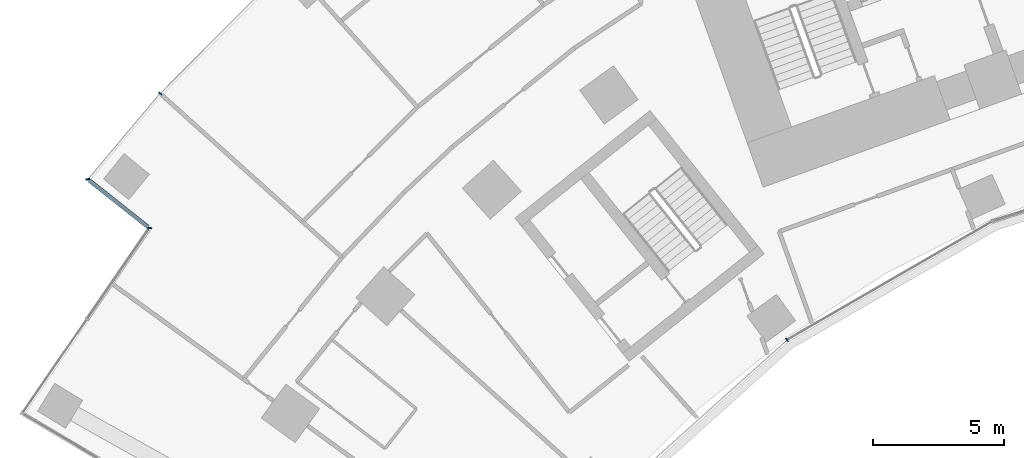
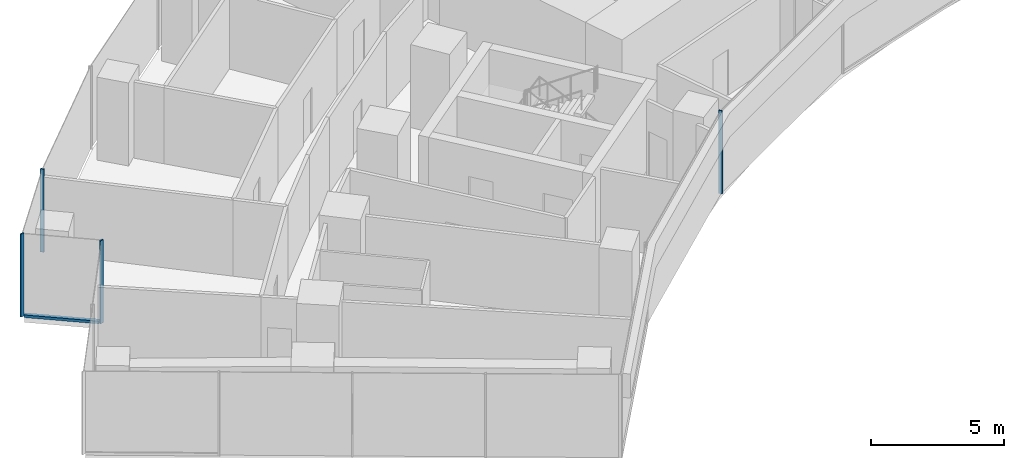
# One storey, part 3 of 21: 5 members, 4 elements without a shape of their own.
"""IFC4 building model written with IfcOpenShell, lengths in metres."""

from ifc_helpers import new_model, si_unit, direction, frame, origin, origin_2d, place, context, subcontext, project, spatial, rectangle, extrude, material, layer, layer_set, material_profile, profile_set, type_object, element, aggregate, save


model = new_model("IFC4")

# Units and contexts
model_context = context("Model", 3, precision=1e-05, world=origin(), true_north=direction((0.0, 1.0)))
body_context = subcontext(model_context, "Body", "Model", "MODEL_VIEW")
ifc_project = project(units=[si_unit("LENGTHUNIT", "METRE"), si_unit("AREAUNIT", "SQUARE_METRE"), si_unit("VOLUMEUNIT", "CUBIC_METRE"), si_unit("PLANEANGLEUNIT", "RADIAN"), si_unit("MASSUNIT", "GRAM", prefix="KILO")], contexts=[model_context])

# Site, building, storey
site_placement = place(None, origin())
site = spatial("IfcSite", under=ifc_project, at=site_placement, CompositionType="ELEMENT")
building_placement = place(site_placement, origin())
building = spatial("IfcBuilding", under=site, at=building_placement, Name="Stone Belt Terrace Tower", CompositionType="ELEMENT")
storey_placement = place(building_placement, frame((0.0, 0.0, 68.0)))
storey = spatial("IfcBuildingStorey", under=building, at=storey_placement, Name="L16", CompositionType="ELEMENT", Elevation=68.0)

# Curtain wall, member
ifc_material = material(Name="Aluminium 6063-T6 anodised frame", Category="aluminium")
ifc_layer_1 = layer(ifc_material, 0.14990234375)
ifc_layer_set_1 = layer_set([ifc_layer_1], Name="CW-A unitised convex-face curtain wall")
curtain_wall_type_1 = type_object("IfcCurtainWallType", Name="CW-A unitised convex-face curtain wall", PredefinedType="NOTDEFINED", material=ifc_layer_set_1)
curtain_wall_1_placement = place(storey_placement, origin())
curtain_wall_1 = element("IfcCurtainWall", 1, at=curtain_wall_1_placement, inside=storey, type_object=curtain_wall_type_1, Name="CW-A convex face L16", PredefinedType="NOTDEFINED")
ifc_material_profile_1 = material_profile(ifc_material, rectangle(XDim=0.14990234375, YDim=0.06005859375, at=origin_2d()), Name="Aluminium 6063-T6 60x150")
ifc_profile_set_1 = profile_set([ifc_material_profile_1], Name="Aluminium 6063-T6 anodised frame")
member_type_1 = type_object("IfcMemberType", Name="CW-A mullion 60 x 150", PredefinedType="MULLION", material=ifc_profile_set_1)
member_1_placement = place(storey_placement, frame((-49.474365234375, 44.548095703125, 0.0), z_axis=(0.0, 0.0, 1.0), x_axis=(0.73617076011, -0.676795842155, 0.0)))
member_1 = element("IfcMember", 2, at=member_1_placement, type_object=member_type_1, Name="CW-A mullion 17", PredefinedType="MULLION", context=body_context, shape_type="SweptSolid", body=[
    extrude(rectangle(XDim=0.14990234375, YDim=0.06005859375, at=origin_2d()), origin(), (0.0, 0.0, 1.0), 3.800048828125),
])
aggregate(curtain_wall_1, [member_1])

ifc_layer_2 = layer(ifc_material, 0.14990234375)
ifc_layer_set_2 = layer_set([ifc_layer_2], Name="CW-B unitised concave-face curtain wall")
curtain_wall_type_2 = type_object("IfcCurtainWallType", Name="CW-B unitised concave-face curtain wall", PredefinedType="NOTDEFINED", material=ifc_layer_set_2)
curtain_wall_2_placement = place(storey_placement, origin())
curtain_wall_2 = element("IfcCurtainWall", 3, at=curtain_wall_2_placement, inside=storey, type_object=curtain_wall_type_2, Name="CW-B concave face L16", PredefinedType="NOTDEFINED")
ifc_material_profile_2 = material_profile(ifc_material, rectangle(XDim=0.14990234375, YDim=0.050048828125, at=origin_2d()), Name="Aluminium 6063-T6 50x150")
ifc_profile_set_2 = profile_set([ifc_material_profile_2], Name="Aluminium 6063-T6 anodised frame")
member_type_2 = type_object("IfcMemberType", Name="CW-B mullion 50 x 150", PredefinedType="MULLION", material=ifc_profile_set_2)
member_2_placement = place(storey_placement, frame((-25.5244140625, 35.13134765625, 0.0), z_axis=(0.0, 0.0, 1.0), x_axis=(-0.587785252292, 0.809016994375, 0.0)))
member_2 = element("IfcMember", 4, at=member_2_placement, type_object=member_type_2, Name="CW-B mullion 3", PredefinedType="MULLION", context=body_context, shape_type="SweptSolid", body=[
    extrude(rectangle(XDim=0.14990234375, YDim=0.050048828125, at=origin_2d()), origin(), (0.0, 0.0, 1.0), 3.800048828125),
])
aggregate(curtain_wall_2, [member_2])

ifc_layer_3 = layer(ifc_material, 0.14990234375)
ifc_layer_set_3 = layer_set([ifc_layer_3], Name="CW-C stick curtain wall, horn ends and notches")
curtain_wall_type_3 = type_object("IfcCurtainWallType", Name="CW-C stick curtain wall, horn ends and notches", PredefinedType="NOTDEFINED", material=ifc_layer_set_3)
curtain_wall_3_placement = place(storey_placement, origin())
curtain_wall_3 = element("IfcCurtainWall", 5, at=curtain_wall_3_placement, inside=storey, type_object=curtain_wall_type_3, Name="CW-C notch face L16", PredefinedType="NOTDEFINED")
ifc_material_profile_3 = material_profile(ifc_material, rectangle(XDim=0.14990234375, YDim=0.06005859375, at=origin_2d()), Name="Aluminium 6063-T6 60x150")
ifc_profile_set_3 = profile_set([ifc_material_profile_3], Name="Aluminium 6063-T6 anodised frame")
member_type_3 = type_object("IfcMemberType", Name="CW-C mullion 60 x 150", PredefinedType="MULLION", material=ifc_profile_set_3)
member_3_placement = place(storey_placement, frame((-52.24072265625, 41.27294921875, 0.0), z_axis=(0.0, 0.0, 1.0), x_axis=(0.995023084308, 0.099644677203, 0.0)))
member_3 = element("IfcMember", 6, at=member_3_placement, type_object=member_type_3, Name="CW-C mullion 1", PredefinedType="MULLION", context=body_context, shape_type="SweptSolid", body=[
    extrude(rectangle(XDim=0.14990234375, YDim=0.06005859375, at=origin_2d()), origin(), (0.0, 0.0, 1.0), 3.800048828125),
])

curtain_wall_4_placement = place(storey_placement, origin())
curtain_wall_4 = element("IfcCurtainWall", 7, at=curtain_wall_4_placement, inside=storey, type_object=curtain_wall_type_3, Name="CW-C notch face L16", PredefinedType="NOTDEFINED")
member_4_placement = place(storey_placement, frame((-49.88330078125, 39.406005859375, 0.0), z_axis=(0.0, 0.0, 1.0), x_axis=(0.988851375203, 0.14890586879, 0.0)))
member_4 = element("IfcMember", 8, at=member_4_placement, type_object=member_type_3, Name="CW-C mullion 1", PredefinedType="MULLION", context=body_context, shape_type="SweptSolid", body=[
    extrude(rectangle(XDim=0.14990234375, YDim=0.06005859375, at=origin_2d()), origin(), (0.0, 0.0, 1.0), 3.800048828125),
])
aggregate(curtain_wall_4, [member_4])

# Member
ifc_material_profile_4 = material_profile(ifc_material, rectangle(XDim=0.14990234375, YDim=0.1201171875, at=origin_2d()), Name="Aluminium 6063-T6 150x120")
ifc_profile_set_4 = profile_set([ifc_material_profile_4], Name="Aluminium 6063-T6 anodised frame")
member_type_4 = type_object("IfcMemberType", Name="CW-C transom 120 x 150", PredefinedType="USERDEFINED", material=ifc_profile_set_4)
member_5_placement = place(storey_placement, frame((-52.18212890625, 41.2265625, 0.06005859375), z_axis=(0.783966177893, -0.620803537297, 0.0), x_axis=(0.620803537297, 0.783966177893, 0.0)))
member_5 = element("IfcMember", 9, at=member_5_placement, type_object=member_type_4, Name="CW-C transom 1.1", ObjectType="TRANSOM", PredefinedType="USERDEFINED", context=body_context, shape_type="SweptSolid", body=[
    extrude(rectangle(XDim=0.14990234375, YDim=0.1201171875, at=origin_2d()), origin(), (0.0, 0.0, 1.0), 2.859375),
])

aggregate(curtain_wall_3, [member_3, member_5])

save(model, "model.ifc")
